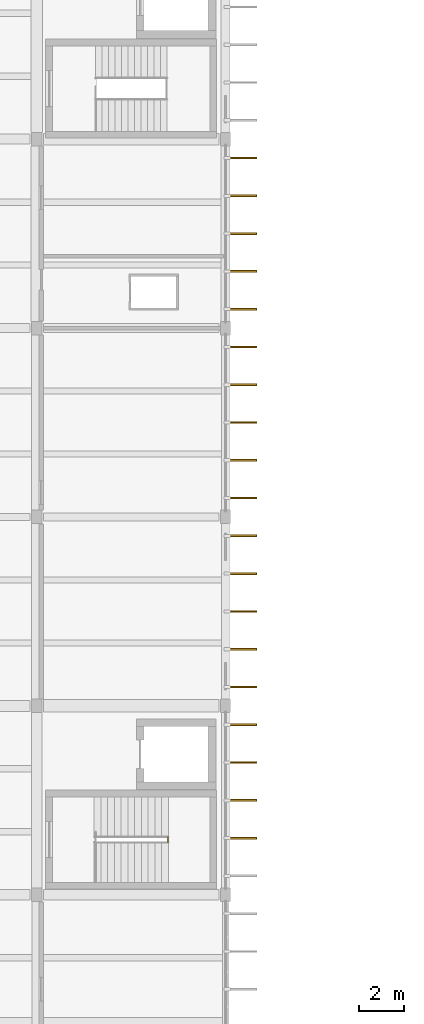
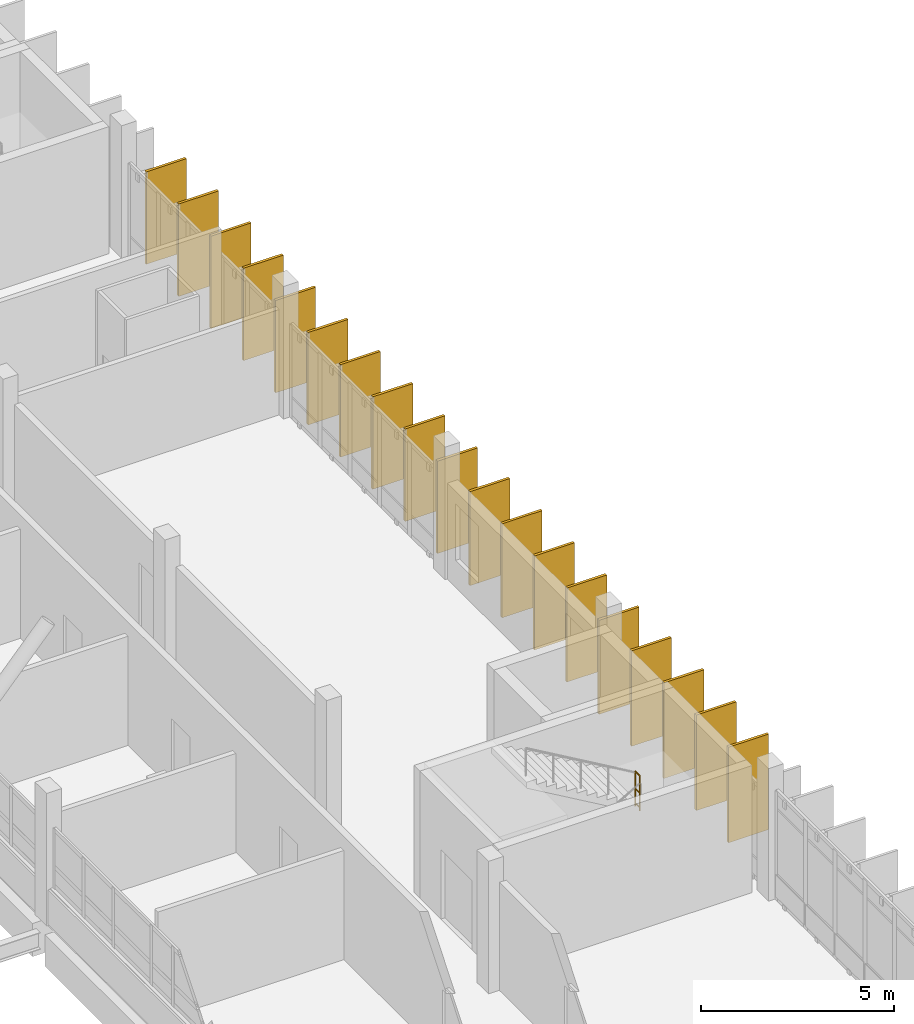
# One storey, part 105 of 107: 19 shading devices, 1 railing.
"""IFC4 building model written with IfcOpenShell, lengths in metres."""

from ifc_helpers import new_model, si_unit, direction, frame, origin, origin_2d, place, context, subcontext, project, spatial, rectangle, circle, extrude, material, material_profile, profile_set, type_object, element, save


model = new_model("IFC4")

# Units and contexts
model_context = context("Model", 3, precision=1e-05, world=origin(), true_north=direction((0.0, 1.0)))
body_context = subcontext(model_context, "Body", "Model", "MODEL_VIEW")
ifc_project = project(units=[si_unit("LENGTHUNIT", "METRE"), si_unit("AREAUNIT", "SQUARE_METRE"), si_unit("VOLUMEUNIT", "CUBIC_METRE"), si_unit("PLANEANGLEUNIT", "RADIAN"), si_unit("MASSUNIT", "GRAM", prefix="KILO")], contexts=[model_context])

# Site, building, storey
site_placement = place(None, origin())
site = spatial("IfcSite", under=ifc_project, at=site_placement, CompositionType="ELEMENT")
building_placement = place(site_placement, origin())
building = spatial("IfcBuilding", under=site, at=building_placement, Name="Vireocrest Preparatory School", CompositionType="ELEMENT")
storey_placement = place(building_placement, frame((0.0, 0.0, 13.199951171875)))
storey = spatial("IfcBuildingStorey", under=building, at=storey_placement, Name="L03", CompositionType="ELEMENT", Elevation=13.199951171875)

# Railing
ifc_material_1 = material(Name="Brushed stainless steel AISI 316", Category="steel")
railing_type = type_object("IfcRailingType", Name="Post-and-Rail Guard Balustrade 1120", PredefinedType="BALUSTRADE", material=ifc_material_1)
railing_placement = place(storey_placement, frame((106.6298828125, 46.1298828125, 2.10009765625)))
element("IfcRailing", 1, at=railing_placement, inside=storey, type_object=railing_type, Name="Half-Landing Well Guard ST2-L03", PredefinedType="BALUSTRADE", context=body_context, shape_type="SweptSolid", body=[
    extrude(circle(Radius=0.02392578125, at=origin_2d()), frame((0.0, 0.0, 1.09619140625), z_axis=(0.0, 1.0, 0.0), x_axis=(-1.0, 0.0, 0.0)), (0.0, 0.0, 1.0), 0.240234375),
    extrude(circle(Radius=0.01806640625, at=origin_2d()), frame((0.0, 0.0, 0.56005859375), z_axis=(0.0, 1.0, 0.0), x_axis=(-1.0, 0.0, 0.0)), (0.0, 0.0, 1.0), 0.240234375),
    extrude(circle(Radius=0.01806640625, at=origin_2d()), frame((0.0, 0.0, 0.10009765625), z_axis=(0.0, 1.0, 0.0), x_axis=(-1.0, 0.0, 0.0)), (0.0, 0.0, 1.0), 0.240234375),
    extrude(circle(Radius=0.02099609375, at=origin_2d()), origin(), (0.0, 0.0, 1.0), 1.072021484375),
    extrude(circle(Radius=0.02099609375, at=origin_2d()), frame((0.0, 0.240234375, 0.0)), (0.0, 0.0, 1.0), 1.072021484375),
])

# Shading devices
ifc_material_2 = material(Name="Warm anodised aluminium EN AW-6063-T6", Category="aluminium")
ifc_material_profile = material_profile(ifc_material_2, rectangle(XDim=0.080078125, YDim=1.199951171875, at=origin_2d()), Name="FIN 80x1200")
ifc_profile_set = profile_set([ifc_material_profile], Name="Warm anodised aluminium EN AW-6063-T6")
shading_device_type = type_object("IfcShadingDeviceType", Name="Vertical Anodised Aluminium Solar Fin 1200", PredefinedType="USERDEFINED", material=ifc_profile_set)
for number, where, z_axis, x_axis, name in (
    (2, (109.97998046875, 46.320068359375, 0.02001953125), (0.0, 0.0, 1.0), (0.0, -1.0, 0.0), "Vertical Solar Fin FN1 L03-47-2"),
    (3, (109.97998046875, 48.0, 0.02001953125), (0.0, 0.0, 1.0), (0.0, -1.0, 0.0), "Vertical Solar Fin FN1 L03-47-3"),
    (4, (109.97998046875, 49.679931640625, 0.02001953125), (0.0, 0.0, 1.0), (0.0, -1.0, 0.0), "Vertical Solar Fin FN1 L03-47-4"),
    (5, (109.97998046875, 51.360107421875, 0.02001953125), (0.0, 0.0, 1.0), (0.0, -1.0, 0.0), "Vertical Solar Fin FN1 L03-47-5"),
):
    element("IfcShadingDevice", number, at=place(storey_placement, frame(where, z_axis=z_axis, x_axis=x_axis)), inside=storey, type_object=shading_device_type, Name=name, ObjectType="FIN", PredefinedType="USERDEFINED", context=body_context, shape_type="SweptSolid", body=[
        extrude(rectangle(XDim=0.080078125, YDim=1.199951171875, at=origin_2d()), origin(), (0.0, 0.0, 1.0), 3.030029296875),
    ])
for number, where, z_axis, x_axis, name in (
    (6, (109.97998046875, 53.0400390625, 0.02001953125), (0.0, 0.0, 1.0), (0.0, -1.0, 0.0), "Vertical Solar Fin FN1 L03-48-1"),
    (7, (109.97998046875, 54.719970703125, 0.02001953125), (0.0, 0.0, 1.0), (0.0, -1.0, 0.0), "Vertical Solar Fin FN1 L03-48-2"),
    (8, (109.97998046875, 56.39990234375, 0.02001953125), (0.0, 0.0, 1.0), (0.0, -1.0, 0.0), "Vertical Solar Fin FN1 L03-48-3"),
    (9, (109.97998046875, 58.080078125, 0.02001953125), (0.0, 0.0, 1.0), (0.0, -1.0, 0.0), "Vertical Solar Fin FN1 L03-48-4"),
    (10, (109.97998046875, 59.760009765625, 0.02001953125), (0.0, 0.0, 1.0), (0.0, -1.0, 0.0), "Vertical Solar Fin FN1 L03-48-5"),
):
    element("IfcShadingDevice", number, at=place(storey_placement, frame(where, z_axis=z_axis, x_axis=x_axis)), inside=storey, type_object=shading_device_type, Name=name, ObjectType="FIN", PredefinedType="USERDEFINED", context=body_context, shape_type="SweptSolid", body=[
        extrude(rectangle(XDim=0.080078125, YDim=1.199951171875, at=origin_2d()), origin(), (0.0, 0.0, 1.0), 2.97998046875),
    ])
for number, where, z_axis, x_axis, name in (
    (11, (109.97998046875, 61.43994140625, 0.02001953125), (0.0, 0.0, 1.0), (0.0, -1.0, 0.0), "Vertical Solar Fin FN1 L03-49-1"),
    (12, (109.97998046875, 63.1201171875, 0.02001953125), (0.0, 0.0, 1.0), (0.0, -1.0, 0.0), "Vertical Solar Fin FN1 L03-49-2"),
    (13, (109.97998046875, 64.800048828125, 0.02001953125), (0.0, 0.0, 1.0), (0.0, -1.0, 0.0), "Vertical Solar Fin FN1 L03-49-3"),
    (14, (109.97998046875, 66.47998046875, 0.02001953125), (0.0, 0.0, 1.0), (0.0, -1.0, 0.0), "Vertical Solar Fin FN1 L03-49-4"),
    (15, (109.97998046875, 68.159912109375, 0.02001953125), (0.0, 0.0, 1.0), (0.0, -1.0, 0.0), "Vertical Solar Fin FN1 L03-49-5"),
    (16, (109.97998046875, 69.840087890625, 0.02001953125), (0.0, 0.0, 1.0), (0.0, -1.0, 0.0), "Vertical Solar Fin FN1 L03-50-1"),
    (17, (109.97998046875, 71.52001953125, 0.02001953125), (0.0, 0.0, 1.0), (0.0, -1.0, 0.0), "Vertical Solar Fin FN1 L03-50-2"),
    (18, (109.97998046875, 73.199951171875, 0.02001953125), (0.0, 0.0, 1.0), (0.0, -1.0, 0.0), "Vertical Solar Fin FN1 L03-50-3"),
    (19, (109.97998046875, 74.8798828125, 0.02001953125), (0.0, 0.0, 1.0), (0.0, -1.0, 0.0), "Vertical Solar Fin FN1 L03-50-4"),
    (20, (109.97998046875, 76.56005859375, 0.02001953125), (0.0, 0.0, 1.0), (0.0, -1.0, 0.0), "Vertical Solar Fin FN1 L03-50-5"),
):
    element("IfcShadingDevice", number, at=place(storey_placement, frame(where, z_axis=z_axis, x_axis=x_axis)), inside=storey, type_object=shading_device_type, Name=name, ObjectType="FIN", PredefinedType="USERDEFINED", context=body_context, shape_type="SweptSolid", body=[
        extrude(rectangle(XDim=0.080078125, YDim=1.199951171875, at=origin_2d()), origin(), (0.0, 0.0, 1.0), 2.929931640625),
    ])

save(model, "model.ifc")
